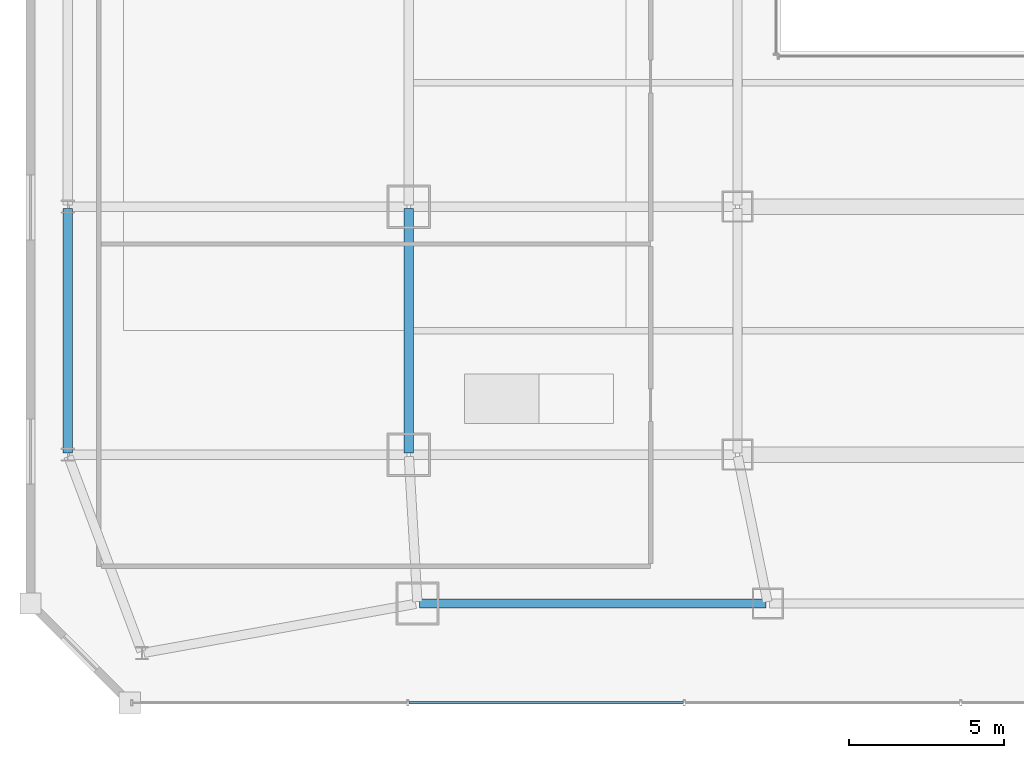
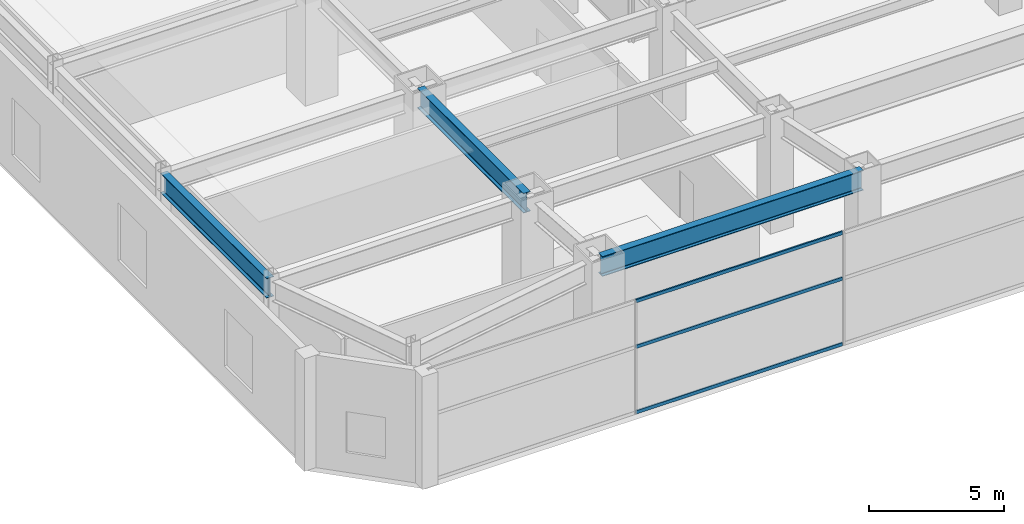
# One storey, part 9 of 52: 3 beams, 3 members, 1 element without a shape of its own.
"""IFC4 building model written with IfcOpenShell, lengths in metres."""

from ifc_helpers import new_model, si_unit, direction, frame, origin, origin_2d, place, context, subcontext, project, spatial, hollow_rectangle, i_section, extrude, material, material_profile, profile_set, type_object, element, aggregate, save


model = new_model("IFC4")

# Units and contexts
model_context = context("Model", 3, precision=1e-05, world=origin(), true_north=direction((0.0, 1.0)))
body_context = subcontext(model_context, "Body", "Model", "MODEL_VIEW")
ifc_project = project(units=[si_unit("LENGTHUNIT", "METRE"), si_unit("AREAUNIT", "SQUARE_METRE"), si_unit("VOLUMEUNIT", "CUBIC_METRE"), si_unit("PLANEANGLEUNIT", "RADIAN"), si_unit("MASSUNIT", "GRAM", prefix="KILO")], contexts=[model_context])

# Site, building, storey
site_placement = place(None, origin())
site = spatial("IfcSite", under=ifc_project, at=site_placement, CompositionType="ELEMENT")
building_placement = place(site_placement, origin())
building = spatial("IfcBuilding", under=site, at=building_placement, Name="Saevonmaru Cultural Tower", CompositionType="ELEMENT")
storey_placement = place(building_placement, frame((0.0, 0.0, 16.800048828125)))
storey = spatial("IfcBuildingStorey", under=building, at=storey_placement, Name="L03", CompositionType="ELEMENT", Elevation=16.800048828125)

# Beams
ifc_material_1 = material(Name="Steel SM420", Category="steel")
ifc_material_profile_1 = material_profile(ifc_material_1, i_section(OverallWidth=0.300048828125, OverallDepth=0.89990234375, WebThickness=0.01611328125, FlangeThickness=0.028076171875, FilletRadius=0.028076171875, at=origin_2d()), Name="H-900x300x16x28")
ifc_profile_set_1 = profile_set([ifc_material_profile_1], Name="Steel SM420")
beam_type = type_object("IfcBeamType", Name="BM-G-H900", PredefinedType="BEAM", material=ifc_profile_set_1)
beam_1_placement = place(storey_placement, frame((12.199951171875, 8.06005859375, 4.64990234375), z_axis=(0.0, 1.0, 0.0), x_axis=(-1.0, 0.0, 0.0)))
element("IfcBeam", 1, at=beam_1_placement, inside=storey, type_object=beam_type, Name="L03 Podium Girder NS1-2", PredefinedType="BEAM", context=body_context, shape_type="SweptSolid", body=[
    extrude(i_section(OverallWidth=0.300048828125, OverallDepth=0.89990234375, WebThickness=0.01611328125, FlangeThickness=0.028076171875, FilletRadius=0.028076171875, at=origin_2d()), origin(), (0.0, 0.0, 1.0), 7.8798828125),
])
beam_2_placement = place(storey_placement, frame((12.5400390625, 3.199951171875, 4.64990234375), z_axis=(1.0, 0.0, 0.0), x_axis=(0.0, 1.0, 0.0)))
element("IfcBeam", 2, at=beam_2_placement, inside=storey, type_object=beam_type, Name="BM-POD-EW-W-0-L03", PredefinedType="BEAM", context=body_context, shape_type="SweptSolid", body=[
    extrude(i_section(OverallWidth=0.300048828125, OverallDepth=0.89990234375, WebThickness=0.01611328125, FlangeThickness=0.028076171875, FilletRadius=0.028076171875, at=origin_2d()), origin(), (0.0, 0.0, 1.0), 11.179931640625),
])
beam_3_placement = place(storey_placement, frame((1.199951171875, 8.06005859375, 4.64990234375), z_axis=(0.0, 1.0, 0.0), x_axis=(-1.0, 0.0, 0.0)))
element("IfcBeam", 3, at=beam_3_placement, inside=storey, type_object=beam_type, Name="BM-POD-PW-1-L03", PredefinedType="BEAM", context=body_context, shape_type="SweptSolid", body=[
    extrude(i_section(OverallWidth=0.300048828125, OverallDepth=0.89990234375, WebThickness=0.01611328125, FlangeThickness=0.028076171875, FilletRadius=0.028076171875, at=origin_2d()), origin(), (0.0, 0.0, 1.0), 7.8798828125),
])

# Curtain wall, members
ifc_material_2 = material(Name="Satin Bronze Anodised Aluminium", Category="aluminium")
curtain_wall_type = type_object("IfcCurtainWallType", Name="CW-POD-GLZ", PredefinedType="NOTDEFINED", material=ifc_material_2)
curtain_wall_placement = place(storey_placement, origin())
curtain_wall = element("IfcCurtainWall", 4, at=curtain_wall_placement, inside=storey, type_object=curtain_wall_type, Name="L03 South Grand Foyer Curtain Wall", PredefinedType="NOTDEFINED")
ifc_material_profile_2 = material_profile(ifc_material_2, hollow_rectangle(XDim=0.06494140625, YDim=0.14990234375, WallThickness=0.00390625, at=origin_2d()), Name="ALU-TRAN-150x65x4")
ifc_profile_set_2 = profile_set([ifc_material_profile_2], Name="Satin Bronze Anodised Aluminium")
member_type = type_object("IfcMemberType", Name="TR-CW-150x65", PredefinedType="USERDEFINED", material=ifc_profile_set_2)
member_1_placement = place(storey_placement, frame((12.205810546875, 0.0, 0.032470703125), z_axis=(1.0, 0.0, 0.0), x_axis=(0.0, 1.0, 0.0)))
member_1 = element("IfcMember", 5, at=member_1_placement, type_object=member_type, Name="CW-POD-S-L03 transom 2.1", ObjectType="TRANSOM", PredefinedType="USERDEFINED", context=body_context, shape_type="SweptSolid", body=[
    extrude(hollow_rectangle(XDim=0.06494140625, YDim=0.14990234375, WallThickness=0.00390625, at=origin_2d()), origin(), (0.0, 0.0, 1.0), 8.848388671875),
])
member_2_placement = place(storey_placement, frame((12.205810546875, 0.0, 3.0), z_axis=(1.0, 0.0, 0.0), x_axis=(0.0, 1.0, 0.0)))
member_2 = element("IfcMember", 6, at=member_2_placement, type_object=member_type, Name="CW-POD-S-L03 transom 2.2", ObjectType="TRANSOM", PredefinedType="USERDEFINED", context=body_context, shape_type="SweptSolid", body=[
    extrude(hollow_rectangle(XDim=0.06494140625, YDim=0.14990234375, WallThickness=0.00390625, at=origin_2d()), origin(), (0.0, 0.0, 1.0), 8.848388671875),
])
member_3_placement = place(storey_placement, frame((12.205810546875, 0.0, 5.0673828125), z_axis=(1.0, 0.0, 0.0), x_axis=(0.0, 1.0, 0.0)))
member_3 = element("IfcMember", 7, at=member_3_placement, type_object=member_type, Name="CW-POD-S-L03 transom 2.3", ObjectType="TRANSOM", PredefinedType="USERDEFINED", context=body_context, shape_type="SweptSolid", body=[
    extrude(hollow_rectangle(XDim=0.06494140625, YDim=0.14990234375, WallThickness=0.00390625, at=origin_2d()), origin(), (0.0, 0.0, 1.0), 8.848388671875),
])
aggregate(curtain_wall, [member_1, member_2, member_3])

save(model, "model.ifc")
